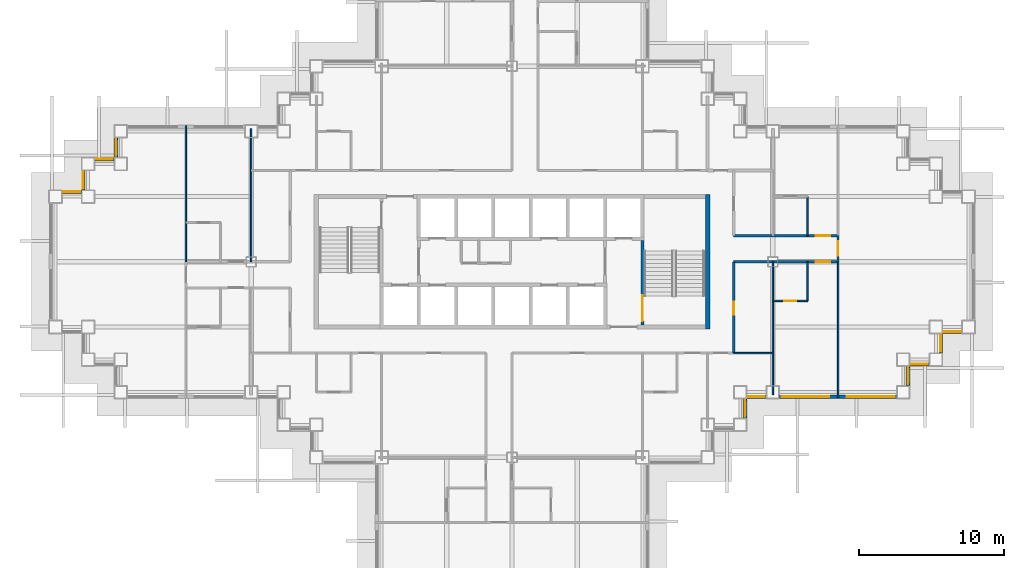
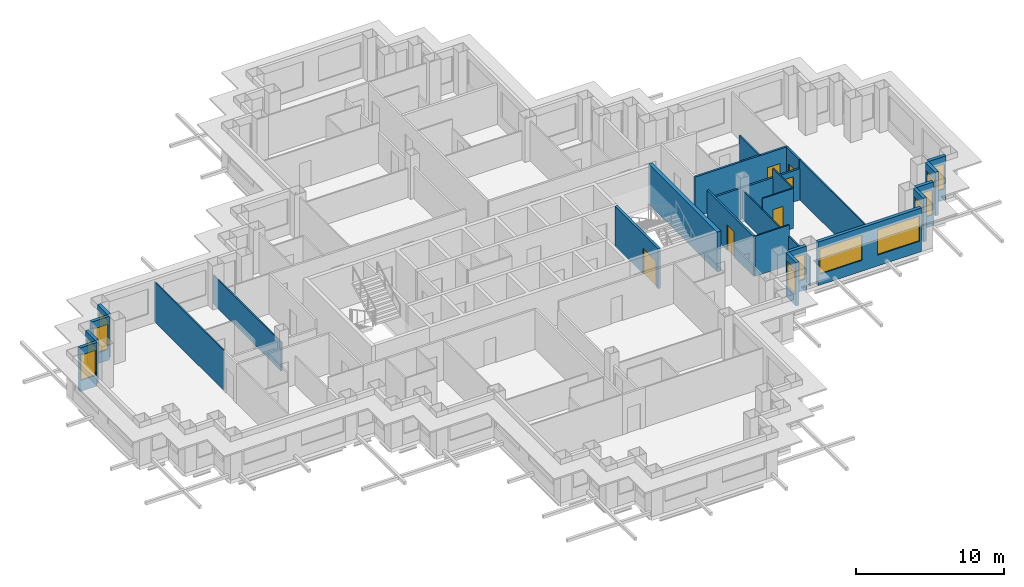
# One storey, part 6 of 15: 25 walls, 12 windows, 6 doors, 18 openings.
"""IFC4 building model written with IfcOpenShell, lengths in metres."""

from ifc_helpers import new_model, si_unit, direction, frame, frame_2d, origin, place, context, subcontext, project, spatial, rectangle, extrude, material, layer, layer_set, type_object, element, fill, save


model = new_model("IFC4")

# Units and contexts
model_context = context("Model", 3, precision=1e-05, world=origin(), true_north=direction((0.0, 1.0)))
body_context = subcontext(model_context, "Body", "Model", "MODEL_VIEW")
ifc_project = project(units=[si_unit("LENGTHUNIT", "METRE"), si_unit("AREAUNIT", "SQUARE_METRE"), si_unit("VOLUMEUNIT", "CUBIC_METRE"), si_unit("PLANEANGLEUNIT", "RADIAN"), si_unit("MASSUNIT", "GRAM", prefix="KILO")], contexts=[model_context])

# Site, building, storey
site_placement = place(None, origin())
site = spatial("IfcSite", under=ifc_project, at=site_placement, CompositionType="ELEMENT")
building_placement = place(site_placement, origin())
building = spatial("IfcBuilding", under=site, at=building_placement, Name="Caravel Reach Hotel and Residences", CompositionType="ELEMENT")
storey_placement = place(building_placement, frame((0.0, 0.0, 111.60009765625)))
storey = spatial("IfcBuildingStorey", under=building, at=storey_placement, Name="L27", CompositionType="ELEMENT", Elevation=111.60009765625)

# Wall, opening, door
ifc_material_1 = material(Name="Gypsum board on steel stud", Category="steel")
ifc_layer_1 = layer(ifc_material_1, 0.10009765625)
ifc_layer_set_1 = layer_set([ifc_layer_1], Name="Bathroom pod wall 100 mm")
wall_type_1 = type_object("IfcWallType", Name="Bathroom pod wall 100 mm", PredefinedType="PARTITIONING", material=ifc_layer_set_1)
wall_1_placement = place(storey_placement, frame((49.5, 24.300048828125, 0.0), z_axis=(0.0, 0.0, 1.0), x_axis=(1.0, 0.0, 0.0)))
wall_1 = element("IfcWall", 1, at=wall_1_placement, inside=storey, type_object=wall_type_1, Name="L27 wall w072", PredefinedType="PARTITIONING", context=body_context, shape_type="SweptSolid", body=[
    extrude(rectangle(XDim=2.39990234375, YDim=0.10009765625, at=frame_2d((1.199951171875, 0.0))), origin(), (0.0, 0.0, 1.0), 3.2998046875),
])
opening_1_placement = place(wall_1_placement, frame((0.800048828125, 0.0, 0.0)))
opening_1 = element("IfcOpeningElement", 2, at=opening_1_placement, cuts=wall_1, Name="Opening D27-021", PredefinedType="OPENING", context=body_context, shape_type="SweptSolid", body=[
    extrude(rectangle(XDim=0.800048828125, YDim=2.10009765625, at=frame_2d((0.39990234375, 1.050048828125))), frame((0.0, 0.06005859375, 0.0), z_axis=(0.0, -1.0, 0.0), x_axis=(1.0, 0.0, 0.0)), (0.0, 0.0, 1.0), 0.1201171875),
])
ifc_material_2 = material(Name="Timber and steel door leaf", Category="steel")
door_type_1 = type_object("IfcDoorType", Name="Bathroom door 800 x 2100", OperationType="SINGLE_SWING_LEFT", PredefinedType="DOOR", material=ifc_material_2)
door_1_placement = place(opening_1_placement, origin())
door_1 = element("IfcDoor", 3, at=door_1_placement, inside=storey, type_object=door_type_1, Name="door D27-021", OperationType="SINGLE_SWING_RIGHT", OverallHeight=2.10009765625, OverallWidth=0.800048828125, PredefinedType="DOOR", context=body_context, shape_type="SweptSolid", body=[
    extrude(rectangle(XDim=0.800048828125, YDim=2.10009765625, at=frame_2d((0.39990234375, 1.050048828125))), frame((0.0, 0.02490234375, 0.0), z_axis=(0.0, -1.0, 0.0), x_axis=(1.0, 0.0, 0.0)), (0.0, 0.0, 1.0), 0.050048828125),
])
fill(opening_1, door_1)

# Walls
for number, where, z_axis, x_axis, name in (
    (4, (51.89990234375, 28.800048828125, 0.0), (0.0, 0.0, 1.0), (0.0, 1.0, 0.0), "L27 wall w092"),
    (5, (51.89990234375, 24.300048828125, 0.0), (0.0, 0.0, 1.0), (0.0, 1.0, 0.0), "L27 wall w093"),
):
    element("IfcWall", number, at=place(storey_placement, frame(where, z_axis=z_axis, x_axis=x_axis)), inside=storey, type_object=wall_type_1, Name=name, PredefinedType="PARTITIONING", context=body_context, shape_type="SweptSolid", body=[
        extrude(rectangle(XDim=2.699951171875, YDim=0.10009765625, at=frame_2d((1.35009765625, 0.0))), origin(), (0.0, 0.0, 1.0), 3.2998046875),
    ])
ifc_material_3 = material(Name="Concrete C60", Category="concrete")
ifc_layer_2 = layer(ifc_material_3, 0.300048828125)
ifc_layer_set_2 = layer_set([ifc_layer_2], Name="Core wall 300 mm EI 120")
wall_type_2 = type_object("IfcWallType", Name="Core wall 300 mm EI 120", PredefinedType="SHEAR", material=ifc_layer_set_2)
wall_2_placement = place(storey_placement, frame((45.0, 22.35009765625, 0.0), z_axis=(0.0, 0.0, 1.0), x_axis=(0.0, 1.0, 0.0)))
element("IfcWall", 6, at=wall_2_placement, inside=storey, type_object=wall_type_2, Name="L27 core wall E", PredefinedType="SHEAR", context=body_context, shape_type="SweptSolid", body=[
    extrude(rectangle(XDim=9.2998046875, YDim=0.300048828125, at=frame_2d((4.64990234375, 0.0))), origin(), (0.0, 0.0, 1.0), 3.2998046875),
])

# Wall, opening, door
ifc_material_4 = material(Name="Gypsum board on steel stud, fire-rated", Category="steel")
ifc_layer_3 = layer(ifc_material_4, 0.14990234375)
ifc_layer_set_3 = layer_set([ifc_layer_3], Name="Corridor wall 150 mm EI 60")
wall_type_3 = type_object("IfcWallType", Name="Corridor wall 150 mm EI 60", PredefinedType="PARTITIONING", material=ifc_layer_set_3)
wall_3_placement = place(storey_placement, frame((46.800048828125, 27.0, 0.0), z_axis=(0.0, 0.0, 1.0), x_axis=(1.0, 0.0, 0.0)))
wall_3 = element("IfcWall", 7, at=wall_3_placement, inside=storey, type_object=wall_type_3, Name="L27 wall w010", PredefinedType="PARTITIONING", context=body_context, shape_type="SweptSolid", body=[
    extrude(rectangle(XDim=7.199951171875, YDim=0.14990234375, at=frame_2d((3.60009765625, 0.0))), origin(), (0.0, 0.0, 1.0), 2.579833984375),
])
opening_2_placement = place(wall_3_placement, frame((5.64990234375, 0.0, 0.0)))
opening_2 = element("IfcOpeningElement", 8, at=opening_2_placement, cuts=wall_3, Name="Opening D27-020", PredefinedType="OPENING", context=body_context, shape_type="SweptSolid", body=[
    extrude(rectangle(XDim=1.0, YDim=2.10009765625, at=frame_2d((0.5, 1.050048828125))), frame((0.0, 0.0849609375, 0.0), z_axis=(0.0, -1.0, 0.0), x_axis=(1.0, 0.0, 0.0)), (0.0, 0.0, 1.0), 0.169921875),
])
ifc_material_5 = material(Name="Steel fire door leaf", Category="steel")
door_type_2 = type_object("IfcDoorType", Name="Guest room door 1000 x 2100 EI 30", OperationType="SINGLE_SWING_LEFT", PredefinedType="DOOR", material=ifc_material_5)
door_2_placement = place(opening_2_placement, origin())
door_2 = element("IfcDoor", 9, at=door_2_placement, inside=storey, type_object=door_type_2, Name="door D27-020", OperationType="SINGLE_SWING_RIGHT", OverallHeight=2.10009765625, OverallWidth=1.0, PredefinedType="DOOR", context=body_context, shape_type="SweptSolid", body=[
    extrude(rectangle(XDim=1.0, YDim=2.10009765625, at=frame_2d((0.5, 1.050048828125))), frame((0.0, 0.02490234375, 0.0), z_axis=(0.0, -1.0, 0.0), x_axis=(1.0, 0.0, 0.0)), (0.0, 0.0, 1.0), 0.050048828125),
])
fill(opening_2, door_2)

wall_4_placement = place(storey_placement, frame((46.800048828125, 28.800048828125, 0.0), z_axis=(0.0, 0.0, 1.0), x_axis=(1.0, 0.0, 0.0)))
wall_4 = element("IfcWall", 10, at=wall_4_placement, inside=storey, type_object=wall_type_3, Name="L27 wall w013", PredefinedType="PARTITIONING", context=body_context, shape_type="SweptSolid", body=[
    extrude(rectangle(XDim=7.199951171875, YDim=0.14990234375, at=frame_2d((3.60009765625, 0.0))), origin(), (0.0, 0.0, 1.0), 3.2998046875),
])
opening_3_placement = place(wall_4_placement, frame((5.64990234375, 0.0, 0.0)))
opening_3 = element("IfcOpeningElement", 11, at=opening_3_placement, cuts=wall_4, Name="Opening D27-022", PredefinedType="OPENING", context=body_context, shape_type="SweptSolid", body=[
    extrude(rectangle(XDim=1.0, YDim=2.10009765625, at=frame_2d((0.5, 1.050048828125))), frame((0.0, 0.0849609375, 0.0), z_axis=(0.0, -1.0, 0.0), x_axis=(1.0, 0.0, 0.0)), (0.0, 0.0, 1.0), 0.169921875),
])
door_3_placement = place(opening_3_placement, origin())
door_3 = element("IfcDoor", 12, at=door_3_placement, inside=storey, type_object=door_type_2, Name="door D27-022", OperationType="SINGLE_SWING_RIGHT", OverallHeight=2.10009765625, OverallWidth=1.0, PredefinedType="DOOR", context=body_context, shape_type="SweptSolid", body=[
    extrude(rectangle(XDim=1.0, YDim=2.10009765625, at=frame_2d((0.5, 1.050048828125))), frame((0.0, 0.02490234375, 0.0), z_axis=(0.0, -1.0, 0.0), x_axis=(1.0, 0.0, 0.0)), (0.0, 0.0, 1.0), 0.050048828125),
])
fill(opening_3, door_3)

wall_5_placement = place(storey_placement, frame((46.800048828125, 20.699951171875, 0.0), z_axis=(0.0, 0.0, 1.0), x_axis=(0.0, 1.0, 0.0)))
wall_5 = element("IfcWall", 13, at=wall_5_placement, inside=storey, type_object=wall_type_3, Name="L27 wall w034", PredefinedType="PARTITIONING", context=body_context, shape_type="SweptSolid", body=[
    extrude(rectangle(XDim=6.300048828125, YDim=0.14990234375, at=frame_2d((3.14990234375, 0.0))), origin(), (0.0, 0.0, 1.0), 3.2998046875),
])
opening_4_placement = place(wall_5_placement, frame((2.64990234375, 0.0, 0.0)))
opening_4 = element("IfcOpeningElement", 14, at=opening_4_placement, cuts=wall_5, Name="Opening D27-056", PredefinedType="OPENING", context=body_context, shape_type="SweptSolid", body=[
    extrude(rectangle(XDim=0.89990234375, YDim=2.10009765625, at=frame_2d((0.449951171875, 1.050048828125))), frame((0.0, 0.0849609375, 0.0), z_axis=(0.0, -1.0, 0.0), x_axis=(1.0, 0.0, 0.0)), (0.0, 0.0, 1.0), 0.169921875),
])
ifc_material_6 = material(Name="Timber and steel door leaf", Category="steel")
door_type_3 = type_object("IfcDoorType", Name="Door 900 x 2100 timber", OperationType="SINGLE_SWING_LEFT", PredefinedType="DOOR", material=ifc_material_6)
door_4_placement = place(opening_4_placement, origin())
door_4 = element("IfcDoor", 15, at=door_4_placement, inside=storey, type_object=door_type_3, Name="door D27-056", OperationType="SINGLE_SWING_LEFT", OverallHeight=2.10009765625, OverallWidth=0.89990234375, PredefinedType="DOOR", context=body_context, shape_type="SweptSolid", body=[
    extrude(rectangle(XDim=0.89990234375, YDim=2.10009765625, at=frame_2d((0.449951171875, 1.050048828125))), frame((0.0, 0.02490234375, 0.0), z_axis=(0.0, -1.0, 0.0), x_axis=(1.0, 0.0, 0.0)), (0.0, 0.0, 1.0), 0.050048828125),
])
fill(opening_4, door_4)

wall_6_placement = place(storey_placement, frame((54.0, 27.0, 0.0), z_axis=(0.0, 0.0, 1.0), x_axis=(0.0, 1.0, 0.0)))
wall_6 = element("IfcWall", 16, at=wall_6_placement, inside=storey, type_object=wall_type_3, Name="L27 wall w035", PredefinedType="PARTITIONING", context=body_context, shape_type="SweptSolid", body=[
    extrude(rectangle(XDim=1.800048828125, YDim=0.14990234375, at=frame_2d((0.89990234375, 0.0))), origin(), (0.0, 0.0, 1.0), 3.2998046875),
])
opening_5_placement = place(wall_6_placement, frame((0.39990234375, 0.0, 0.0)))
opening_5 = element("IfcOpeningElement", 17, at=opening_5_placement, cuts=wall_6, Name="Opening D27-036", PredefinedType="OPENING", context=body_context, shape_type="SweptSolid", body=[
    extrude(rectangle(XDim=1.0, YDim=2.10009765625, at=frame_2d((0.5, 1.050048828125))), frame((0.0, 0.0849609375, 0.0), z_axis=(0.0, -1.0, 0.0), x_axis=(1.0, 0.0, 0.0)), (0.0, 0.0, 1.0), 0.169921875),
])
door_5_placement = place(opening_5_placement, origin())
door_5 = element("IfcDoor", 18, at=door_5_placement, inside=storey, type_object=door_type_2, Name="door D27-036", OperationType="SINGLE_SWING_LEFT", OverallHeight=2.10009765625, OverallWidth=1.0, PredefinedType="DOOR", context=body_context, shape_type="SweptSolid", body=[
    extrude(rectangle(XDim=1.0, YDim=2.10009765625, at=frame_2d((0.5, 1.050048828125))), frame((0.0, 0.02490234375, 0.0), z_axis=(0.0, -1.0, 0.0), x_axis=(1.0, 0.0, 0.0)), (0.0, 0.0, 1.0), 0.050048828125),
])
fill(opening_5, door_5)

# Wall, opening, window
ifc_material_7 = material(Name="Insulated rainscreen wall, aluminium cladding", Category="aluminium")
ifc_layer_4 = layer(ifc_material_7, 0.25)
ifc_layer_set_4 = layer_set([ifc_layer_4], Name="EW1 Tower rainscreen wall")
wall_type_4 = type_object("IfcWallType", Name="EW1 Tower rainscreen wall", PredefinedType="SOLIDWALL", material=ifc_layer_set_4)
wall_7_placement = place(storey_placement, frame((47.574951171875, 16.199951171875, 0.0), z_axis=(0.0, 0.0, 1.0), x_axis=(0.0, 1.0, 0.0)))
wall_7 = element("IfcWall", 19, at=wall_7_placement, inside=storey, type_object=wall_type_4, Name="External wall L27 E14.1", PredefinedType="SOLIDWALL", context=body_context, shape_type="SweptSolid", body=[
    extrude(rectangle(XDim=1.35009765625, YDim=0.25, at=frame_2d((0.675048828125, 0.0))), origin(), (0.0, 0.0, 1.0), 3.599853515625),
])
opening_6_placement = place(wall_7_placement, frame((0.10009765625, 0.0, 0.89990234375)))
opening_6 = element("IfcOpeningElement", 20, at=opening_6_placement, cuts=wall_7, Name="Opening WN8", PredefinedType="OPENING", context=body_context, shape_type="SweptSolid", body=[
    extrude(rectangle(XDim=1.14990234375, YDim=2.080078125, at=frame_2d((0.574951171875, 1.0400390625))), frame((0.0, 0.135009765625, 0.0), z_axis=(0.0, -1.0, 0.0), x_axis=(1.0, 0.0, 0.0)), (0.0, 0.0, 1.0), 0.27001953125),
])
ifc_material_8 = material(Name="Dark low-e glazing in black aluminium frame", Category="aluminium")
window_type_1 = type_object("IfcWindowType", Name="Hotel suite corner window 1150 x 2080", PartitioningType="SINGLE_PANEL", PredefinedType="WINDOW", material=ifc_material_8)
window_1_placement = place(opening_6_placement, origin())
window_1 = element("IfcWindow", 21, at=window_1_placement, inside=storey, type_object=window_type_1, Name="Window L27 E14.1.1", OverallHeight=2.080078125, OverallWidth=1.14990234375, PartitioningType="SINGLE_PANEL", PredefinedType="WINDOW", context=body_context, shape_type="SweptSolid", body=[
    extrude(rectangle(XDim=1.14990234375, YDim=2.080078125, at=frame_2d((0.574951171875, 1.0400390625))), frame((0.0, 0.030029296875, 0.0), z_axis=(0.0, -1.0, 0.0), x_axis=(1.0, 0.0, 0.0)), (0.0, 0.0, 1.0), 0.06005859375),
])
fill(opening_6, window_1)

wall_8_placement = place(storey_placement, frame((47.699951171875, 17.675048828125, 0.0), z_axis=(0.0, 0.0, 1.0), x_axis=(1.0, 0.0, 0.0)))
wall_8 = element("IfcWall", 22, at=wall_8_placement, inside=storey, type_object=wall_type_4, Name="External wall L27 S15.1", PredefinedType="SOLIDWALL", context=body_context, shape_type="SweptSolid", body=[
    extrude(rectangle(XDim=1.35009765625, YDim=0.25, at=frame_2d((0.675048828125, 0.0))), origin(), (0.0, 0.0, 1.0), 3.599853515625),
])
opening_7_placement = place(wall_8_placement, frame((0.10009765625, 0.0, 0.89990234375)))
opening_7 = element("IfcOpeningElement", 23, at=opening_7_placement, cuts=wall_8, Name="Opening WN8", PredefinedType="OPENING", context=body_context, shape_type="SweptSolid", body=[
    extrude(rectangle(XDim=1.14990234375, YDim=2.080078125, at=frame_2d((0.574951171875, 1.0400390625))), frame((0.0, 0.135009765625, 0.0), z_axis=(0.0, -1.0, 0.0), x_axis=(1.0, 0.0, 0.0)), (0.0, 0.0, 1.0), 0.27001953125),
])
window_2_placement = place(opening_7_placement, origin())
window_2 = element("IfcWindow", 24, at=window_2_placement, inside=storey, type_object=window_type_1, Name="Window L27 S15.1.1", OverallHeight=2.080078125, OverallWidth=1.14990234375, PartitioningType="SINGLE_PANEL", PredefinedType="WINDOW", context=body_context, shape_type="SweptSolid", body=[
    extrude(rectangle(XDim=1.14990234375, YDim=2.080078125, at=frame_2d((0.574951171875, 1.0400390625))), frame((0.0, 0.030029296875, 0.0), z_axis=(0.0, -1.0, 0.0), x_axis=(1.0, 0.0, 0.0)), (0.0, 0.0, 1.0), 0.06005859375),
])
fill(opening_7, window_2)

# Wall, openings, windows
wall_9_placement = place(storey_placement, frame((49.949951171875, 17.675048828125, 0.0), z_axis=(0.0, 0.0, 1.0), x_axis=(1.0, 0.0, 0.0)))
wall_9 = element("IfcWall", 25, at=wall_9_placement, inside=storey, type_object=wall_type_4, Name="External wall L27 S15.2", PredefinedType="SOLIDWALL", context=body_context, shape_type="SweptSolid", body=[
    extrude(rectangle(XDim=8.10009765625, YDim=0.25, at=frame_2d((4.050048828125, 0.0))), origin(), (0.0, 0.0, 1.0), 3.599853515625),
])
opening_8_placement = place(wall_9_placement, frame((0.14990234375, 0.0, 0.89990234375)))
opening_8 = element("IfcOpeningElement", 26, at=opening_8_placement, cuts=wall_9, Name="Opening WN4", PredefinedType="OPENING", context=body_context, shape_type="SweptSolid", body=[
    extrude(rectangle(XDim=3.300048828125, YDim=2.080078125, at=frame_2d((1.64990234375, 1.0400390625))), frame((0.0, 0.135009765625, 0.0), z_axis=(0.0, -1.0, 0.0), x_axis=(1.0, 0.0, 0.0)), (0.0, 0.0, 1.0), 0.27001953125),
])
opening_9_placement = place(wall_9_placement, frame((4.64990234375, 0.0, 0.89990234375)))
opening_9 = element("IfcOpeningElement", 27, at=opening_9_placement, cuts=wall_9, Name="Opening WN4", PredefinedType="OPENING", context=body_context, shape_type="SweptSolid", body=[
    extrude(rectangle(XDim=3.300048828125, YDim=2.080078125, at=frame_2d((1.64990234375, 1.0400390625))), frame((0.0, 0.135009765625, 0.0), z_axis=(0.0, -1.0, 0.0), x_axis=(1.0, 0.0, 0.0)), (0.0, 0.0, 1.0), 0.27001953125),
])
ifc_material_9 = material(Name="Dark low-e glazing in black aluminium frame", Category="aluminium")
window_type_2 = type_object("IfcWindowType", Name="Hotel guest room window 3300 x 2080", PartitioningType="SINGLE_PANEL", PredefinedType="WINDOW", material=ifc_material_9)
window_3_placement = place(opening_8_placement, origin())
window_3 = element("IfcWindow", 28, at=window_3_placement, inside=storey, type_object=window_type_2, Name="Window L27 S15.2.1", OverallHeight=2.080078125, OverallWidth=3.300048828125, PartitioningType="SINGLE_PANEL", PredefinedType="WINDOW", context=body_context, shape_type="SweptSolid", body=[
    extrude(rectangle(XDim=3.300048828125, YDim=2.080078125, at=frame_2d((1.64990234375, 1.0400390625))), frame((0.0, 0.030029296875, 0.0), z_axis=(0.0, -1.0, 0.0), x_axis=(1.0, 0.0, 0.0)), (0.0, 0.0, 1.0), 0.06005859375),
])
fill(opening_8, window_3)
window_4_placement = place(opening_9_placement, origin())
window_4 = element("IfcWindow", 29, at=window_4_placement, inside=storey, type_object=window_type_2, Name="Window L27 S15.2.2", OverallHeight=2.080078125, OverallWidth=3.300048828125, PartitioningType="SINGLE_PANEL", PredefinedType="WINDOW", context=body_context, shape_type="SweptSolid", body=[
    extrude(rectangle(XDim=3.300048828125, YDim=2.080078125, at=frame_2d((1.64990234375, 1.0400390625))), frame((0.0, 0.030029296875, 0.0), z_axis=(0.0, -1.0, 0.0), x_axis=(1.0, 0.0, 0.0)), (0.0, 0.0, 1.0), 0.06005859375),
])
fill(opening_9, window_4)

# Wall, opening, window
wall_10_placement = place(storey_placement, frame((58.824951171875, 18.449951171875, 0.0), z_axis=(0.0, 0.0, 1.0), x_axis=(0.0, 1.0, 0.0)))
wall_10 = element("IfcWall", 30, at=wall_10_placement, inside=storey, type_object=wall_type_4, Name="External wall L27 E16.1", PredefinedType="SOLIDWALL", context=body_context, shape_type="SweptSolid", body=[
    extrude(rectangle(XDim=1.35009765625, YDim=0.25, at=frame_2d((0.675048828125, 0.0))), origin(), (0.0, 0.0, 1.0), 3.599853515625),
])
opening_10_placement = place(wall_10_placement, frame((0.10009765625, 0.0, 0.89990234375)))
opening_10 = element("IfcOpeningElement", 31, at=opening_10_placement, cuts=wall_10, Name="Opening WN8", PredefinedType="OPENING", context=body_context, shape_type="SweptSolid", body=[
    extrude(rectangle(XDim=1.14990234375, YDim=2.080078125, at=frame_2d((0.574951171875, 1.0400390625))), frame((0.0, 0.135009765625, 0.0), z_axis=(0.0, -1.0, 0.0), x_axis=(1.0, 0.0, 0.0)), (0.0, 0.0, 1.0), 0.27001953125),
])
window_5_placement = place(opening_10_placement, origin())
window_5 = element("IfcWindow", 32, at=window_5_placement, inside=storey, type_object=window_type_1, Name="Window L27 E16.1.1", OverallHeight=2.080078125, OverallWidth=1.14990234375, PartitioningType="SINGLE_PANEL", PredefinedType="WINDOW", context=body_context, shape_type="SweptSolid", body=[
    extrude(rectangle(XDim=1.14990234375, YDim=2.080078125, at=frame_2d((0.574951171875, 1.0400390625))), frame((0.0, 0.030029296875, 0.0), z_axis=(0.0, -1.0, 0.0), x_axis=(1.0, 0.0, 0.0)), (0.0, 0.0, 1.0), 0.06005859375),
])
fill(opening_10, window_5)

wall_11_placement = place(storey_placement, frame((58.949951171875, 19.925048828125, 0.0), z_axis=(0.0, 0.0, 1.0), x_axis=(1.0, 0.0, 0.0)))
wall_11 = element("IfcWall", 33, at=wall_11_placement, inside=storey, type_object=wall_type_4, Name="External wall L27 S17.1", PredefinedType="SOLIDWALL", context=body_context, shape_type="SweptSolid", body=[
    extrude(rectangle(XDim=1.35009765625, YDim=0.25, at=frame_2d((0.675048828125, 0.0))), origin(), (0.0, 0.0, 1.0), 3.599853515625),
])
opening_11_placement = place(wall_11_placement, frame((0.10009765625, 0.0, 0.89990234375)))
opening_11 = element("IfcOpeningElement", 34, at=opening_11_placement, cuts=wall_11, Name="Opening WN8", PredefinedType="OPENING", context=body_context, shape_type="SweptSolid", body=[
    extrude(rectangle(XDim=1.14990234375, YDim=2.080078125, at=frame_2d((0.574951171875, 1.0400390625))), frame((0.0, 0.135009765625, 0.0), z_axis=(0.0, -1.0, 0.0), x_axis=(1.0, 0.0, 0.0)), (0.0, 0.0, 1.0), 0.27001953125),
])
window_6_placement = place(opening_11_placement, origin())
window_6 = element("IfcWindow", 35, at=window_6_placement, inside=storey, type_object=window_type_1, Name="Window L27 S17.1.1", OverallHeight=2.080078125, OverallWidth=1.14990234375, PartitioningType="SINGLE_PANEL", PredefinedType="WINDOW", context=body_context, shape_type="SweptSolid", body=[
    extrude(rectangle(XDim=1.14990234375, YDim=2.080078125, at=frame_2d((0.574951171875, 1.0400390625))), frame((0.0, 0.030029296875, 0.0), z_axis=(0.0, -1.0, 0.0), x_axis=(1.0, 0.0, 0.0)), (0.0, 0.0, 1.0), 0.06005859375),
])
fill(opening_11, window_6)

wall_12_placement = place(storey_placement, frame((61.074951171875, 20.699951171875, 0.0), z_axis=(0.0, 0.0, 1.0), x_axis=(0.0, 1.0, 0.0)))
wall_12 = element("IfcWall", 36, at=wall_12_placement, inside=storey, type_object=wall_type_4, Name="External wall L27 E18.1", PredefinedType="SOLIDWALL", context=body_context, shape_type="SweptSolid", body=[
    extrude(rectangle(XDim=1.35009765625, YDim=0.25, at=frame_2d((0.675048828125, 0.0))), origin(), (0.0, 0.0, 1.0), 3.599853515625),
])
opening_12_placement = place(wall_12_placement, frame((0.10009765625, 0.0, 0.89990234375)))
opening_12 = element("IfcOpeningElement", 37, at=opening_12_placement, cuts=wall_12, Name="Opening WN8", PredefinedType="OPENING", context=body_context, shape_type="SweptSolid", body=[
    extrude(rectangle(XDim=1.14990234375, YDim=2.080078125, at=frame_2d((0.574951171875, 1.0400390625))), frame((0.0, 0.135009765625, 0.0), z_axis=(0.0, -1.0, 0.0), x_axis=(1.0, 0.0, 0.0)), (0.0, 0.0, 1.0), 0.27001953125),
])
window_7_placement = place(opening_12_placement, origin())
window_7 = element("IfcWindow", 38, at=window_7_placement, inside=storey, type_object=window_type_1, Name="Window L27 E18.1.1", OverallHeight=2.080078125, OverallWidth=1.14990234375, PartitioningType="SINGLE_PANEL", PredefinedType="WINDOW", context=body_context, shape_type="SweptSolid", body=[
    extrude(rectangle(XDim=1.14990234375, YDim=2.080078125, at=frame_2d((0.574951171875, 1.0400390625))), frame((0.0, 0.030029296875, 0.0), z_axis=(0.0, -1.0, 0.0), x_axis=(1.0, 0.0, 0.0)), (0.0, 0.0, 1.0), 0.06005859375),
])
fill(opening_12, window_7)

wall_13_placement = place(storey_placement, frame((61.199951171875, 22.175048828125, 0.0), z_axis=(0.0, 0.0, 1.0), x_axis=(1.0, 0.0, 0.0)))
wall_13 = element("IfcWall", 39, at=wall_13_placement, inside=storey, type_object=wall_type_4, Name="External wall L27 S19.1", PredefinedType="SOLIDWALL", context=body_context, shape_type="SweptSolid", body=[
    extrude(rectangle(XDim=1.35009765625, YDim=0.25, at=frame_2d((0.675048828125, 0.0))), origin(), (0.0, 0.0, 1.0), 3.599853515625),
])
opening_13_placement = place(wall_13_placement, frame((0.10009765625, 0.0, 0.89990234375)))
opening_13 = element("IfcOpeningElement", 40, at=opening_13_placement, cuts=wall_13, Name="Opening WN8", PredefinedType="OPENING", context=body_context, shape_type="SweptSolid", body=[
    extrude(rectangle(XDim=1.14990234375, YDim=2.080078125, at=frame_2d((0.574951171875, 1.0400390625))), frame((0.0, 0.135009765625, 0.0), z_axis=(0.0, -1.0, 0.0), x_axis=(1.0, 0.0, 0.0)), (0.0, 0.0, 1.0), 0.27001953125),
])
window_8_placement = place(opening_13_placement, origin())
window_8 = element("IfcWindow", 41, at=window_8_placement, inside=storey, type_object=window_type_1, Name="Window L27 S19.1.1", OverallHeight=2.080078125, OverallWidth=1.14990234375, PartitioningType="SINGLE_PANEL", PredefinedType="WINDOW", context=body_context, shape_type="SweptSolid", body=[
    extrude(rectangle(XDim=1.14990234375, YDim=2.080078125, at=frame_2d((0.574951171875, 1.0400390625))), frame((0.0, 0.030029296875, 0.0), z_axis=(0.0, -1.0, 0.0), x_axis=(1.0, 0.0, 0.0)), (0.0, 0.0, 1.0), 0.06005859375),
])
fill(opening_13, window_8)

wall_14_placement = place(storey_placement, frame((4.175048828125, 35.550048828125, 0.0), z_axis=(0.0, 0.0, 1.0), x_axis=(0.0, -1.0, 0.0)))
wall_14 = element("IfcWall", 42, at=wall_14_placement, inside=storey, type_object=wall_type_4, Name="External wall L27 W46.1", PredefinedType="SOLIDWALL", context=body_context, shape_type="SweptSolid", body=[
    extrude(rectangle(XDim=1.35009765625, YDim=0.25, at=frame_2d((0.675048828125, 0.0))), origin(), (0.0, 0.0, 1.0), 3.599853515625),
])
opening_14_placement = place(wall_14_placement, frame((0.10009765625, 0.0, 0.89990234375)))
opening_14 = element("IfcOpeningElement", 43, at=opening_14_placement, cuts=wall_14, Name="Opening WN8", PredefinedType="OPENING", context=body_context, shape_type="SweptSolid", body=[
    extrude(rectangle(XDim=1.14990234375, YDim=2.080078125, at=frame_2d((0.574951171875, 1.0400390625))), frame((0.0, 0.135009765625, 0.0), z_axis=(0.0, -1.0, 0.0), x_axis=(1.0, 0.0, 0.0)), (0.0, 0.0, 1.0), 0.27001953125),
])
window_9_placement = place(opening_14_placement, origin())
window_9 = element("IfcWindow", 44, at=window_9_placement, inside=storey, type_object=window_type_1, Name="Window L27 W46.1.1", OverallHeight=2.080078125, OverallWidth=1.14990234375, PartitioningType="SINGLE_PANEL", PredefinedType="WINDOW", context=body_context, shape_type="SweptSolid", body=[
    extrude(rectangle(XDim=1.14990234375, YDim=2.080078125, at=frame_2d((0.574951171875, 1.0400390625))), frame((0.0, 0.030029296875, 0.0), z_axis=(0.0, -1.0, 0.0), x_axis=(1.0, 0.0, 0.0)), (0.0, 0.0, 1.0), 0.06005859375),
])
fill(opening_14, window_9)

wall_15_placement = place(storey_placement, frame((4.050048828125, 34.074951171875, 0.0), z_axis=(0.0, 0.0, 1.0), x_axis=(-1.0, 0.0, 0.0)))
wall_15 = element("IfcWall", 45, at=wall_15_placement, inside=storey, type_object=wall_type_4, Name="External wall L27 N47.1", PredefinedType="SOLIDWALL", context=body_context, shape_type="SweptSolid", body=[
    extrude(rectangle(XDim=1.35009765625, YDim=0.25, at=frame_2d((0.675048828125, 0.0))), origin(), (0.0, 0.0, 1.0), 3.599853515625),
])
opening_15_placement = place(wall_15_placement, frame((0.10009765625, 0.0, 0.89990234375)))
opening_15 = element("IfcOpeningElement", 46, at=opening_15_placement, cuts=wall_15, Name="Opening WN8", PredefinedType="OPENING", context=body_context, shape_type="SweptSolid", body=[
    extrude(rectangle(XDim=1.14990234375, YDim=2.080078125, at=frame_2d((0.574951171875, 1.0400390625))), frame((0.0, 0.135009765625, 0.0), z_axis=(0.0, -1.0, 0.0), x_axis=(1.0, 0.0, 0.0)), (0.0, 0.0, 1.0), 0.27001953125),
])
window_10_placement = place(opening_15_placement, origin())
window_10 = element("IfcWindow", 47, at=window_10_placement, inside=storey, type_object=window_type_1, Name="Window L27 N47.1.1", OverallHeight=2.080078125, OverallWidth=1.14990234375, PartitioningType="SINGLE_PANEL", PredefinedType="WINDOW", context=body_context, shape_type="SweptSolid", body=[
    extrude(rectangle(XDim=1.14990234375, YDim=2.080078125, at=frame_2d((0.574951171875, 1.0400390625))), frame((0.0, 0.030029296875, 0.0), z_axis=(0.0, -1.0, 0.0), x_axis=(1.0, 0.0, 0.0)), (0.0, 0.0, 1.0), 0.06005859375),
])
fill(opening_15, window_10)

wall_16_placement = place(storey_placement, frame((1.925048828125, 33.300048828125, 0.0), z_axis=(0.0, 0.0, 1.0), x_axis=(0.0, -1.0, 0.0)))
wall_16 = element("IfcWall", 48, at=wall_16_placement, inside=storey, type_object=wall_type_4, Name="External wall L27 W48.1", PredefinedType="SOLIDWALL", context=body_context, shape_type="SweptSolid", body=[
    extrude(rectangle(XDim=1.35009765625, YDim=0.25, at=frame_2d((0.675048828125, 0.0))), origin(), (0.0, 0.0, 1.0), 3.599853515625),
])
opening_16_placement = place(wall_16_placement, frame((0.10009765625, 0.0, 0.89990234375)))
opening_16 = element("IfcOpeningElement", 49, at=opening_16_placement, cuts=wall_16, Name="Opening WN8", PredefinedType="OPENING", context=body_context, shape_type="SweptSolid", body=[
    extrude(rectangle(XDim=1.14990234375, YDim=2.080078125, at=frame_2d((0.574951171875, 1.0400390625))), frame((0.0, 0.135009765625, 0.0), z_axis=(0.0, -1.0, 0.0), x_axis=(1.0, 0.0, 0.0)), (0.0, 0.0, 1.0), 0.27001953125),
])
window_11_placement = place(opening_16_placement, origin())
window_11 = element("IfcWindow", 50, at=window_11_placement, inside=storey, type_object=window_type_1, Name="Window L27 W48.1.1", OverallHeight=2.080078125, OverallWidth=1.14990234375, PartitioningType="SINGLE_PANEL", PredefinedType="WINDOW", context=body_context, shape_type="SweptSolid", body=[
    extrude(rectangle(XDim=1.14990234375, YDim=2.080078125, at=frame_2d((0.574951171875, 1.0400390625))), frame((0.0, 0.030029296875, 0.0), z_axis=(0.0, -1.0, 0.0), x_axis=(1.0, 0.0, 0.0)), (0.0, 0.0, 1.0), 0.06005859375),
])
fill(opening_16, window_11)

wall_17_placement = place(storey_placement, frame((1.800048828125, 31.824951171875, 0.0), z_axis=(0.0, 0.0, 1.0), x_axis=(-1.0, 0.0, 0.0)))
wall_17 = element("IfcWall", 51, at=wall_17_placement, inside=storey, type_object=wall_type_4, Name="External wall L27 N49.1", PredefinedType="SOLIDWALL", context=body_context, shape_type="SweptSolid", body=[
    extrude(rectangle(XDim=1.35009765625, YDim=0.25, at=frame_2d((0.675048828125, 0.0))), origin(), (0.0, 0.0, 1.0), 3.599853515625),
])
opening_17_placement = place(wall_17_placement, frame((0.10009765625, 0.0, 0.89990234375)))
opening_17 = element("IfcOpeningElement", 52, at=opening_17_placement, cuts=wall_17, Name="Opening WN8", PredefinedType="OPENING", context=body_context, shape_type="SweptSolid", body=[
    extrude(rectangle(XDim=1.14990234375, YDim=2.080078125, at=frame_2d((0.574951171875, 1.0400390625))), frame((0.0, 0.135009765625, 0.0), z_axis=(0.0, -1.0, 0.0), x_axis=(1.0, 0.0, 0.0)), (0.0, 0.0, 1.0), 0.27001953125),
])
window_12_placement = place(opening_17_placement, origin())
window_12 = element("IfcWindow", 53, at=window_12_placement, inside=storey, type_object=window_type_1, Name="Window L27 N49.1.1", OverallHeight=2.080078125, OverallWidth=1.14990234375, PartitioningType="SINGLE_PANEL", PredefinedType="WINDOW", context=body_context, shape_type="SweptSolid", body=[
    extrude(rectangle(XDim=1.14990234375, YDim=2.080078125, at=frame_2d((0.574951171875, 1.0400390625))), frame((0.0, 0.030029296875, 0.0), z_axis=(0.0, -1.0, 0.0), x_axis=(1.0, 0.0, 0.0)), (0.0, 0.0, 1.0), 0.06005859375),
])
fill(opening_17, window_12)

# Walls
ifc_material_10 = material(Name="Gypsum board on steel stud", Category="steel")
ifc_layer_5 = layer(ifc_material_10, 0.10009765625)
ifc_layer_set_5 = layer_set([ifc_layer_5], Name="Partition 100 mm")
wall_type_5 = type_object("IfcWallType", Name="Partition 100 mm", PredefinedType="PARTITIONING", material=ifc_layer_set_5)
wall_18_placement = place(storey_placement, frame((46.800048828125, 20.699951171875, 0.0), z_axis=(0.0, 0.0, 1.0), x_axis=(1.0, 0.0, 0.0)))
element("IfcWall", 54, at=wall_18_placement, inside=storey, type_object=wall_type_5, Name="L27 wall w040", PredefinedType="PARTITIONING", context=body_context, shape_type="SweptSolid", body=[
    extrude(rectangle(XDim=2.699951171875, YDim=0.10009765625, at=frame_2d((1.35009765625, 0.0))), origin(), (0.0, 0.0, 1.0), 3.2998046875),
])
for number, where, z_axis, x_axis, name in (
    (55, (13.5, 27.0, 0.0), (0.0, 0.0, 1.0), (0.0, 1.0, 0.0), "L27 wall w049"),
    (56, (49.5, 17.81005859375, 0.0), (0.0, 0.0, 1.0), (0.0, 1.0, 0.0), "L27 wall w060"),
):
    element("IfcWall", number, at=place(storey_placement, frame(where, z_axis=z_axis, x_axis=x_axis)), inside=storey, type_object=wall_type_5, Name=name, PredefinedType="PARTITIONING", context=body_context, shape_type="SweptSolid", body=[
        extrude(rectangle(XDim=9.18994140625, YDim=0.10009765625, at=frame_2d((4.594970703125, 0.0))), origin(), (0.0, 0.0, 1.0), 2.3798828125),
    ])
for number, where, z_axis, x_axis, name in (
    (57, (54.0, 17.610107421875, 0.0), (0.0, 0.0, 1.0), (0.0, 1.0, 0.0), "L27 wall w062"),
    (58, (9.0, 27.0, 0.0), (0.0, 0.0, 1.0), (0.0, 1.0, 0.0), "L27 wall w063"),
):
    element("IfcWall", number, at=place(storey_placement, frame(where, z_axis=z_axis, x_axis=x_axis)), inside=storey, type_object=wall_type_5, Name=name, PredefinedType="PARTITIONING", context=body_context, shape_type="SweptSolid", body=[
        extrude(rectangle(XDim=9.389892578125, YDim=0.10009765625, at=frame_2d((4.69482421875, 0.0))), origin(), (0.0, 0.0, 1.0), 3.2998046875),
    ])

# Wall, opening, door
ifc_material_11 = material(Name="Concrete C60", Category="concrete")
ifc_layer_6 = layer(ifc_material_11, 0.199951171875)
ifc_layer_set_6 = layer_set([ifc_layer_6], Name="Stair enclosure wall 200 mm EI 120")
wall_type_6 = type_object("IfcWallType", Name="Stair enclosure wall 200 mm EI 120", PredefinedType="SHEAR", material=ifc_layer_set_6)
wall_19_placement = place(storey_placement, frame((40.5, 22.64990234375, 0.0), z_axis=(0.0, 0.0, 1.0), x_axis=(0.0, 1.0, 0.0)))
wall_19 = element("IfcWall", 59, at=wall_19_placement, inside=storey, type_object=wall_type_6, Name="L27 stair B wall", PredefinedType="SHEAR", context=body_context, shape_type="SweptSolid", body=[
    extrude(rectangle(XDim=5.8251953125, YDim=0.199951171875, at=frame_2d((2.91259765625, 0.0))), origin(), (0.0, 0.0, 1.0), 3.2998046875),
])
opening_18_placement = place(wall_19_placement, frame((0.25, 0.0, 0.0)))
opening_18 = element("IfcOpeningElement", 60, at=opening_18_placement, cuts=wall_19, Name="Opening D27-011", PredefinedType="OPENING", context=body_context, shape_type="SweptSolid", body=[
    extrude(rectangle(XDim=1.800048828125, YDim=2.10009765625, at=frame_2d((0.89990234375, 1.050048828125))), frame((0.0, 0.10986328125, 0.0), z_axis=(0.0, -1.0, 0.0), x_axis=(1.0, 0.0, 0.0)), (0.0, 0.0, 1.0), 0.219970703125),
])
ifc_material_12 = material(Name="Steel fire door leaf", Category="steel")
door_type_4 = type_object("IfcDoorType", Name="Stair door pair 1800 x 2100 EI 90", OperationType="DOUBLE_DOOR_SINGLE_SWING", PredefinedType="DOOR", material=ifc_material_12)
door_6_placement = place(opening_18_placement, origin())
door_6 = element("IfcDoor", 61, at=door_6_placement, inside=storey, type_object=door_type_4, Name="stair B door pair", OperationType="DOUBLE_DOOR_SINGLE_SWING", OverallHeight=2.10009765625, OverallWidth=1.800048828125, PredefinedType="DOOR", context=body_context, shape_type="SweptSolid", body=[
    extrude(rectangle(XDim=1.800048828125, YDim=2.10009765625, at=frame_2d((0.89990234375, 1.050048828125))), frame((0.0, 0.02490234375, 0.0), z_axis=(0.0, -1.0, 0.0), x_axis=(1.0, 0.0, 0.0)), (0.0, 0.0, 1.0), 0.050048828125),
])
fill(opening_18, door_6)

save(model, "model.ifc")
